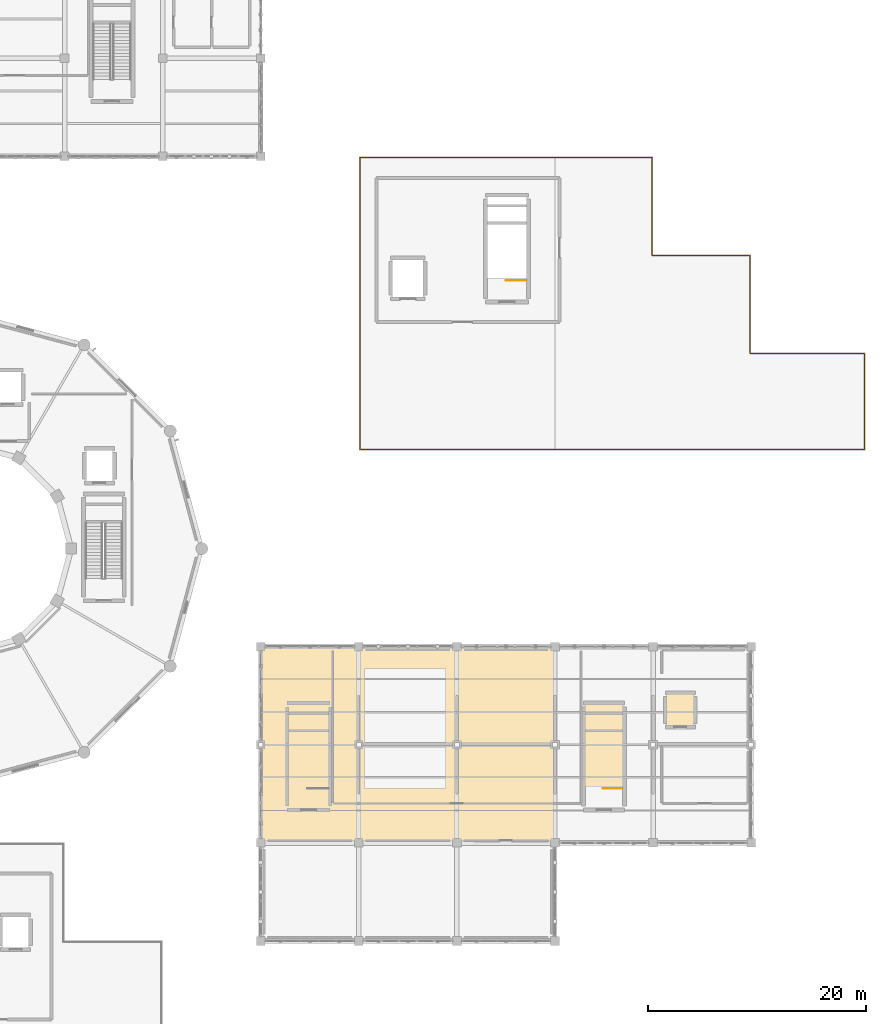
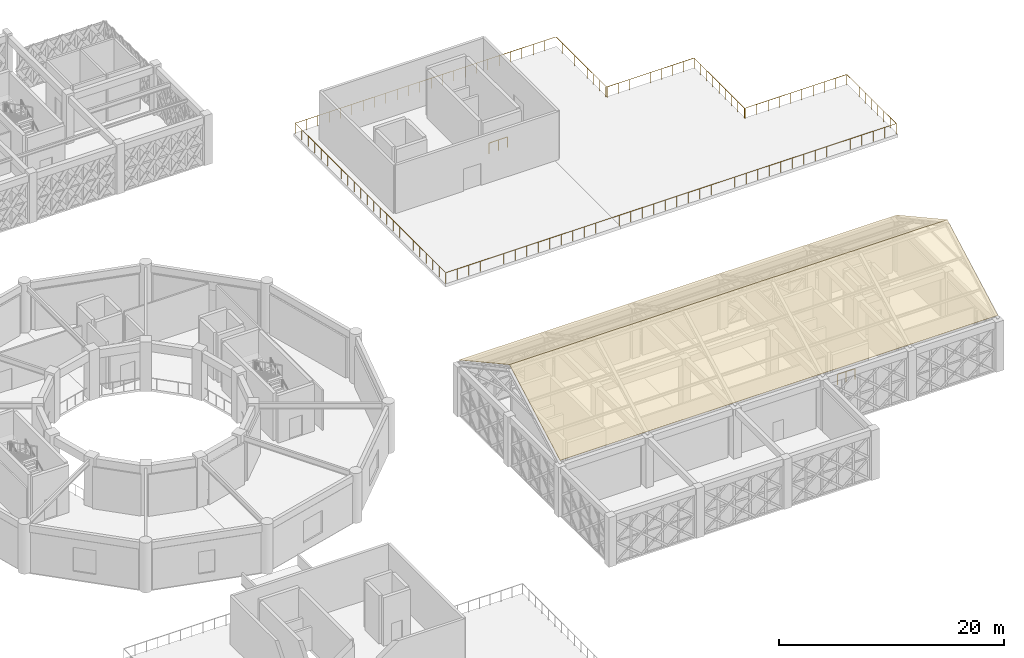
# One storey, part 86 of 86: 3 railings, 2 coverings.
"""IFC4 building model written with IfcOpenShell, lengths in metres."""

from ifc_helpers import new_model, si_unit, direction, frame, origin, origin_2d, place, context, subcontext, project, spatial, polyline, circle, outline, extrude, material, type_object, element, save


model = new_model("IFC4")

# Units and contexts
model_context = context("Model", 3, precision=1e-05, world=origin(), true_north=direction((0.0, 1.0)))
body_context = subcontext(model_context, "Body", "Model", "MODEL_VIEW")
ifc_project = project(units=[si_unit("LENGTHUNIT", "METRE"), si_unit("AREAUNIT", "SQUARE_METRE"), si_unit("VOLUMEUNIT", "CUBIC_METRE"), si_unit("PLANEANGLEUNIT", "RADIAN"), si_unit("MASSUNIT", "GRAM", prefix="KILO")], contexts=[model_context])

# Site, building, storey
site_placement = place(None, origin())
site = spatial("IfcSite", under=ifc_project, at=site_placement, CompositionType="ELEMENT")
building_placement = place(site_placement, origin())
building = spatial("IfcBuilding", under=site, at=building_placement, Name="Haizhuo Lancet Aquarium", CompositionType="ELEMENT")
storey_placement = place(building_placement, frame((0.0, 0.0, 16.199951171875)))
storey = spatial("IfcBuildingStorey", under=building, at=storey_placement, Name="L03", CompositionType="ELEMENT", Elevation=16.199951171875)

# Railings
ifc_material_1 = material(Name="Steel S355", Category="steel")
railing_type_1 = type_object("IfcRailingType", Name="RL-BAL-1150", PredefinedType="BALUSTRADE", material=ifc_material_1)
railing_1_placement = place(storey_placement, frame((36.10009765625, 9.10009765625, 0.0)))
element("IfcRailing", 1, at=railing_1_placement, inside=storey, type_object=railing_type_1, Name="L03 V7 planted roof garden perimeter balustrade", PredefinedType="BALUSTRADE", context=body_context, shape_type="SweptSolid", body=[
    extrude(circle(Radius=0.02392578125, at=origin_2d()), frame((0.0, 0.030029296875, 1.1259765625), z_axis=(0.0, 1.0, 0.0), x_axis=(-1.0, 0.0, 0.0)), (0.0, 0.0, 1.0), 26.73974609375),
    extrude(circle(Radius=0.02392578125, at=origin_2d()), frame((0.030029296875, 26.7998046875, 1.1259765625), z_axis=(1.0, 0.0, 0.0), x_axis=(0.0, 1.0, 0.0)), (0.0, 0.0, 1.0), 26.73974609375),
    extrude(circle(Radius=0.02392578125, at=origin_2d()), frame((26.7998046875, 26.769775390625, 1.1259765625), z_axis=(0.0, -1.0, 0.0), x_axis=(1.0, 0.0, 0.0)), (0.0, 0.0, 1.0), 8.83984375),
    extrude(circle(Radius=0.02392578125, at=origin_2d()), frame((26.7998046875, 17.8984375, 1.1259765625), z_axis=(0.0, -1.0, 0.0), x_axis=(1.0, 0.0, 0.0)), (0.0, 0.0, 1.0), 0.010009765625),
    extrude(circle(Radius=0.02392578125, at=origin_2d()), frame((26.800048828125, 17.888427734375, 1.1259765625), z_axis=(0.214407294843, -0.976744343172, 0.0), x_axis=(0.976744343172, 0.214407294843, 0.0)), (0.0, 0.0, 1.0), 0.010009765625),
    extrude(circle(Radius=0.02392578125, at=origin_2d()), frame((26.80224609375, 17.87841796875, 1.1259765625), z_axis=(0.211332792528, -0.97741416544, 0.0), x_axis=(0.97741416544, 0.211332792528, 0.0)), (0.0, 0.0, 1.0), 0.010009765625),
    extrude(circle(Radius=0.02392578125, at=origin_2d()), frame((26.804443359375, 17.869384765625, 1.1259765625), z_axis=(0.396911150685, -0.91785703596, 0.0), x_axis=(0.91785703596, 0.396911150685, 0.0)), (0.0, 0.0, 1.0), 0.010009765625),
    extrude(circle(Radius=0.02392578125, at=origin_2d()), frame((26.80859375, 17.8603515625, 1.1259765625), z_axis=(0.417500171551, -0.908676843963, 0.0), x_axis=(0.908676843963, 0.417500171551, 0.0)), (0.0, 0.0, 1.0), 0.010009765625),
    extrude(circle(Radius=0.02392578125, at=origin_2d()), frame((26.812744140625, 17.8515625, 1.1259765625), z_axis=(0.485642931179, -0.874157276122, 0.0), x_axis=(0.874157276122, 0.485642931179, 0.0)), (0.0, 0.0, 1.0), 0.010009765625),
    extrude(circle(Radius=0.02392578125, at=origin_2d()), frame((26.81787109375, 17.843017578125, 1.1259765625), z_axis=(0.652939622069, -0.757409961601, 0.0), x_axis=(0.757409961601, 0.652939622069, 0.0)), (0.0, 0.0, 1.0), 0.010009765625),
    extrude(circle(Radius=0.02392578125, at=origin_2d()), frame((26.823974609375, 17.835693359375, 1.1259765625), z_axis=(0.588171697675, -0.808736084303, 0.0), x_axis=(0.808736084303, 0.588171697675, 0.0)), (0.0, 0.0, 1.0), 0.010009765625),
    extrude(circle(Radius=0.02392578125, at=origin_2d()), frame((26.830078125, 17.827880859375, 1.1259765625), z_axis=(0.808736084303, -0.588171697675, 0.0), x_axis=(0.588171697675, 0.808736084303, 0.0)), (0.0, 0.0, 1.0), 0.010009765625),
    extrude(circle(Radius=0.02392578125, at=origin_2d()), frame((26.837890625, 17.822021484375, 1.1259765625), z_axis=(0.757409961601, -0.652939622069, 0.0), x_axis=(0.652939622069, 0.757409961601, 0.0)), (0.0, 0.0, 1.0), 0.010009765625),
    extrude(circle(Radius=0.02392578125, at=origin_2d()), frame((26.84521484375, 17.816162109375, 1.1259765625), z_axis=(0.874157276122, -0.485642931179, 0.0), x_axis=(0.485642931179, 0.874157276122, 0.0)), (0.0, 0.0, 1.0), 0.010009765625),
    extrude(circle(Radius=0.02392578125, at=origin_2d()), frame((26.854248046875, 17.811279296875, 1.1259765625), z_axis=(0.908676843963, -0.417500171551, 0.0), x_axis=(0.417500171551, 0.908676843963, 0.0)), (0.0, 0.0, 1.0), 0.010009765625),
    extrude(circle(Radius=0.02392578125, at=origin_2d()), frame((26.86328125, 17.807373046875, 1.1259765625), z_axis=(0.91785703596, -0.396911150685, 0.0), x_axis=(0.396911150685, 0.91785703596, 0.0)), (0.0, 0.0, 1.0), 0.010009765625),
    extrude(circle(Radius=0.02392578125, at=origin_2d()), frame((26.872314453125, 17.8037109375, 1.1259765625), z_axis=(0.97741416544, -0.211332792528, 0.0), x_axis=(0.211332792528, 0.97741416544, 0.0)), (0.0, 0.0, 1.0), 0.010009765625),
    extrude(circle(Radius=0.02392578125, at=origin_2d()), frame((26.88134765625, 17.8017578125, 1.1259765625), z_axis=(0.976744343172, -0.214407294843, 0.0), x_axis=(0.214407294843, 0.976744343172, 0.0)), (0.0, 0.0, 1.0), 0.010009765625),
    extrude(circle(Radius=0.02392578125, at=origin_2d()), frame((26.891357421875, 17.7998046875, 1.1259765625), z_axis=(1.0, 0.0, 0.0), x_axis=(0.0, 1.0, 0.0)), (0.0, 0.0, 1.0), 0.010009765625),
    extrude(circle(Radius=0.02392578125, at=origin_2d()), frame((26.929931640625, 17.7998046875, 1.1259765625), z_axis=(1.0, 0.0, 0.0), x_axis=(0.0, 1.0, 0.0)), (0.0, 0.0, 1.0), 8.83984375),
    extrude(circle(Radius=0.02392578125, at=origin_2d()), frame((35.7998046875, 17.769775390625, 1.1259765625), z_axis=(0.0, -1.0, 0.0), x_axis=(1.0, 0.0, 0.0)), (0.0, 0.0, 1.0), 8.83984375),
    extrude(circle(Radius=0.02392578125, at=origin_2d()), frame((35.7998046875, 8.8984375, 1.1259765625), z_axis=(0.0, -1.0, 0.0), x_axis=(1.0, 0.0, 0.0)), (0.0, 0.0, 1.0), 0.010009765625),
    extrude(circle(Radius=0.02392578125, at=origin_2d()), frame((35.800048828125, 8.888427734375, 1.1259765625), z_axis=(0.214407294843, -0.976744343172, 0.0), x_axis=(0.976744343172, 0.214407294843, 0.0)), (0.0, 0.0, 1.0), 0.010009765625),
    extrude(circle(Radius=0.02392578125, at=origin_2d()), frame((35.80224609375, 8.87841796875, 1.1259765625), z_axis=(0.211332792528, -0.97741416544, 0.0), x_axis=(0.97741416544, 0.211332792528, 0.0)), (0.0, 0.0, 1.0), 0.010009765625),
    extrude(circle(Radius=0.02392578125, at=origin_2d()), frame((35.804443359375, 8.869384765625, 1.1259765625), z_axis=(0.396911150685, -0.91785703596, 0.0), x_axis=(0.91785703596, 0.396911150685, 0.0)), (0.0, 0.0, 1.0), 0.010009765625),
    extrude(circle(Radius=0.02392578125, at=origin_2d()), frame((35.80859375, 8.8603515625, 1.1259765625), z_axis=(0.417500171551, -0.908676843963, 0.0), x_axis=(0.908676843963, 0.417500171551, 0.0)), (0.0, 0.0, 1.0), 0.010009765625),
    extrude(circle(Radius=0.02392578125, at=origin_2d()), frame((35.812744140625, 8.8515625, 1.1259765625), z_axis=(0.485642931179, -0.874157276122, 0.0), x_axis=(0.874157276122, 0.485642931179, 0.0)), (0.0, 0.0, 1.0), 0.010009765625),
    extrude(circle(Radius=0.02392578125, at=origin_2d()), frame((35.81787109375, 8.843017578125, 1.1259765625), z_axis=(0.652939622069, -0.757409961601, 0.0), x_axis=(0.757409961601, 0.652939622069, 0.0)), (0.0, 0.0, 1.0), 0.010009765625),
    extrude(circle(Radius=0.02392578125, at=origin_2d()), frame((35.823974609375, 8.835693359375, 1.1259765625), z_axis=(0.588171697675, -0.808736084303, 0.0), x_axis=(0.808736084303, 0.588171697675, 0.0)), (0.0, 0.0, 1.0), 0.010009765625),
    extrude(circle(Radius=0.02392578125, at=origin_2d()), frame((35.830078125, 8.827880859375, 1.1259765625), z_axis=(0.808736084303, -0.588171697675, 0.0), x_axis=(0.588171697675, 0.808736084303, 0.0)), (0.0, 0.0, 1.0), 0.010009765625),
    extrude(circle(Radius=0.02392578125, at=origin_2d()), frame((35.837890625, 8.822021484375, 1.1259765625), z_axis=(0.757409961601, -0.652939622069, 0.0), x_axis=(0.652939622069, 0.757409961601, 0.0)), (0.0, 0.0, 1.0), 0.010009765625),
    extrude(circle(Radius=0.02392578125, at=origin_2d()), frame((35.84521484375, 8.816162109375, 1.1259765625), z_axis=(0.874157276122, -0.485642931179, 0.0), x_axis=(0.485642931179, 0.874157276122, 0.0)), (0.0, 0.0, 1.0), 0.010009765625),
    extrude(circle(Radius=0.02392578125, at=origin_2d()), frame((35.854248046875, 8.811279296875, 1.1259765625), z_axis=(0.908676843963, -0.417500171551, 0.0), x_axis=(0.417500171551, 0.908676843963, 0.0)), (0.0, 0.0, 1.0), 0.010009765625),
    extrude(circle(Radius=0.02392578125, at=origin_2d()), frame((35.86328125, 8.807373046875, 1.1259765625), z_axis=(0.91785703596, -0.396911150685, 0.0), x_axis=(0.396911150685, 0.91785703596, 0.0)), (0.0, 0.0, 1.0), 0.010009765625),
    extrude(circle(Radius=0.02392578125, at=origin_2d()), frame((35.872314453125, 8.8037109375, 1.1259765625), z_axis=(0.97741416544, -0.211332792528, 0.0), x_axis=(0.211332792528, 0.97741416544, 0.0)), (0.0, 0.0, 1.0), 0.010009765625),
    extrude(circle(Radius=0.02392578125, at=origin_2d()), frame((35.88134765625, 8.8017578125, 1.1259765625), z_axis=(0.976744343172, -0.214407294843, 0.0), x_axis=(0.214407294843, 0.976744343172, 0.0)), (0.0, 0.0, 1.0), 0.010009765625),
    extrude(circle(Radius=0.02392578125, at=origin_2d()), frame((35.891357421875, 8.7998046875, 1.1259765625), z_axis=(1.0, 0.0, 0.0), x_axis=(0.0, 1.0, 0.0)), (0.0, 0.0, 1.0), 0.010009765625),
    extrude(circle(Radius=0.02392578125, at=origin_2d()), frame((35.929931640625, 8.7998046875, 1.1259765625), z_axis=(1.0, 0.0, 0.0), x_axis=(0.0, 1.0, 0.0)), (0.0, 0.0, 1.0), 10.33984375),
    extrude(circle(Radius=0.02392578125, at=origin_2d()), frame((46.2998046875, 8.769775390625, 1.1259765625), z_axis=(0.0, -1.0, 0.0), x_axis=(1.0, 0.0, 0.0)), (0.0, 0.0, 1.0), 8.73974609375),
    extrude(circle(Radius=0.02392578125, at=origin_2d()), frame((46.269775390625, 0.0, 1.1259765625), z_axis=(-1.0, 0.0, 0.0), x_axis=(0.0, -1.0, 0.0)), (0.0, 0.0, 1.0), 46.23974609375),
    extrude(circle(Radius=0.02099609375, at=origin_2d()), origin(), (0.0, 0.0, 1.0), 1.097900390625),
    extrude(circle(Radius=0.02099609375, at=origin_2d()), frame((0.0, 1.165283203125, 0.0)), (0.0, 0.0, 1.0), 1.097900390625),
    extrude(circle(Radius=0.02099609375, at=origin_2d()), frame((0.0, 2.330322265625, 0.0)), (0.0, 0.0, 1.0), 1.097900390625),
    extrude(circle(Radius=0.02099609375, at=origin_2d()), frame((0.0, 3.49560546875, 0.0)), (0.0, 0.0, 1.0), 1.097900390625),
    extrude(circle(Radius=0.02099609375, at=origin_2d()), frame((0.0, 4.660888671875, 0.0)), (0.0, 0.0, 1.0), 1.097900390625),
    extrude(circle(Radius=0.02099609375, at=origin_2d()), frame((0.0, 5.825927734375, 0.0)), (0.0, 0.0, 1.0), 1.097900390625),
    extrude(circle(Radius=0.02099609375, at=origin_2d()), frame((0.0, 6.9912109375, 0.0)), (0.0, 0.0, 1.0), 1.097900390625),
    extrude(circle(Radius=0.02099609375, at=origin_2d()), frame((0.0, 8.156494140625, 0.0)), (0.0, 0.0, 1.0), 1.097900390625),
    extrude(circle(Radius=0.02099609375, at=origin_2d()), frame((0.0, 9.32177734375, 0.0)), (0.0, 0.0, 1.0), 1.097900390625),
    extrude(circle(Radius=0.02099609375, at=origin_2d()), frame((0.0, 10.48681640625, 0.0)), (0.0, 0.0, 1.0), 1.097900390625),
    extrude(circle(Radius=0.02099609375, at=origin_2d()), frame((0.0, 11.652099609375, 0.0)), (0.0, 0.0, 1.0), 1.097900390625),
    extrude(circle(Radius=0.02099609375, at=origin_2d()), frame((0.0, 12.8173828125, 0.0)), (0.0, 0.0, 1.0), 1.097900390625),
    extrude(circle(Radius=0.02099609375, at=origin_2d()), frame((0.0, 13.982421875, 0.0)), (0.0, 0.0, 1.0), 1.097900390625),
    extrude(circle(Radius=0.02099609375, at=origin_2d()), frame((0.0, 15.147705078125, 0.0)), (0.0, 0.0, 1.0), 1.097900390625),
    extrude(circle(Radius=0.02099609375, at=origin_2d()), frame((0.0, 16.31298828125, 0.0)), (0.0, 0.0, 1.0), 1.097900390625),
    extrude(circle(Radius=0.02099609375, at=origin_2d()), frame((0.0, 17.47802734375, 0.0)), (0.0, 0.0, 1.0), 1.097900390625),
    extrude(circle(Radius=0.02099609375, at=origin_2d()), frame((0.0, 18.643310546875, 0.0)), (0.0, 0.0, 1.0), 1.097900390625),
    extrude(circle(Radius=0.02099609375, at=origin_2d()), frame((0.0, 19.80859375, 0.0)), (0.0, 0.0, 1.0), 1.097900390625),
    extrude(circle(Radius=0.02099609375, at=origin_2d()), frame((0.0, 20.973876953125, 0.0)), (0.0, 0.0, 1.0), 1.097900390625),
    extrude(circle(Radius=0.02099609375, at=origin_2d()), frame((0.0, 22.138916015625, 0.0)), (0.0, 0.0, 1.0), 1.097900390625),
    extrude(circle(Radius=0.02099609375, at=origin_2d()), frame((0.0, 23.30419921875, 0.0)), (0.0, 0.0, 1.0), 1.097900390625),
    extrude(circle(Radius=0.02099609375, at=origin_2d()), frame((0.0, 24.469482421875, 0.0)), (0.0, 0.0, 1.0), 1.097900390625),
    extrude(circle(Radius=0.02099609375, at=origin_2d()), frame((0.0, 25.634521484375, 0.0)), (0.0, 0.0, 1.0), 1.097900390625),
    extrude(circle(Radius=0.02099609375, at=origin_2d()), frame((0.0, 26.7998046875, 0.0)), (0.0, 0.0, 1.0), 1.097900390625),
    extrude(circle(Radius=0.02099609375, at=origin_2d()), frame((1.165283203125, 26.7998046875, 0.0)), (0.0, 0.0, 1.0), 1.097900390625),
    extrude(circle(Radius=0.02099609375, at=origin_2d()), frame((2.330322265625, 26.7998046875, 0.0)), (0.0, 0.0, 1.0), 1.097900390625),
    extrude(circle(Radius=0.02099609375, at=origin_2d()), frame((3.49560546875, 26.7998046875, 0.0)), (0.0, 0.0, 1.0), 1.097900390625),
    extrude(circle(Radius=0.02099609375, at=origin_2d()), frame((4.660888671875, 26.7998046875, 0.0)), (0.0, 0.0, 1.0), 1.097900390625),
    extrude(circle(Radius=0.02099609375, at=origin_2d()), frame((5.825927734375, 26.7998046875, 0.0)), (0.0, 0.0, 1.0), 1.097900390625),
    extrude(circle(Radius=0.02099609375, at=origin_2d()), frame((6.9912109375, 26.7998046875, 0.0)), (0.0, 0.0, 1.0), 1.097900390625),
    extrude(circle(Radius=0.02099609375, at=origin_2d()), frame((8.156494140625, 26.7998046875, 0.0)), (0.0, 0.0, 1.0), 1.097900390625),
    extrude(circle(Radius=0.02099609375, at=origin_2d()), frame((9.32177734375, 26.7998046875, 0.0)), (0.0, 0.0, 1.0), 1.097900390625),
    extrude(circle(Radius=0.02099609375, at=origin_2d()), frame((10.48681640625, 26.7998046875, 0.0)), (0.0, 0.0, 1.0), 1.097900390625),
    extrude(circle(Radius=0.02099609375, at=origin_2d()), frame((11.652099609375, 26.7998046875, 0.0)), (0.0, 0.0, 1.0), 1.097900390625),
    extrude(circle(Radius=0.02099609375, at=origin_2d()), frame((12.8173828125, 26.7998046875, 0.0)), (0.0, 0.0, 1.0), 1.097900390625),
    extrude(circle(Radius=0.02099609375, at=origin_2d()), frame((13.982421875, 26.7998046875, 0.0)), (0.0, 0.0, 1.0), 1.097900390625),
    extrude(circle(Radius=0.02099609375, at=origin_2d()), frame((15.147705078125, 26.7998046875, 0.0)), (0.0, 0.0, 1.0), 1.097900390625),
    extrude(circle(Radius=0.02099609375, at=origin_2d()), frame((16.31298828125, 26.7998046875, 0.0)), (0.0, 0.0, 1.0), 1.097900390625),
    extrude(circle(Radius=0.02099609375, at=origin_2d()), frame((17.47802734375, 26.7998046875, 0.0)), (0.0, 0.0, 1.0), 1.097900390625),
    extrude(circle(Radius=0.02099609375, at=origin_2d()), frame((18.643310546875, 26.7998046875, 0.0)), (0.0, 0.0, 1.0), 1.097900390625),
    extrude(circle(Radius=0.02099609375, at=origin_2d()), frame((19.80859375, 26.7998046875, 0.0)), (0.0, 0.0, 1.0), 1.097900390625),
    extrude(circle(Radius=0.02099609375, at=origin_2d()), frame((20.973876953125, 26.7998046875, 0.0)), (0.0, 0.0, 1.0), 1.097900390625),
    extrude(circle(Radius=0.02099609375, at=origin_2d()), frame((22.138916015625, 26.7998046875, 0.0)), (0.0, 0.0, 1.0), 1.097900390625),
    extrude(circle(Radius=0.02099609375, at=origin_2d()), frame((23.30419921875, 26.7998046875, 0.0)), (0.0, 0.0, 1.0), 1.097900390625),
    extrude(circle(Radius=0.02099609375, at=origin_2d()), frame((24.469482421875, 26.7998046875, 0.0)), (0.0, 0.0, 1.0), 1.097900390625),
    extrude(circle(Radius=0.02099609375, at=origin_2d()), frame((25.634521484375, 26.7998046875, 0.0)), (0.0, 0.0, 1.0), 1.097900390625),
    extrude(circle(Radius=0.02099609375, at=origin_2d()), frame((26.7998046875, 26.7998046875, 0.0)), (0.0, 0.0, 1.0), 1.097900390625),
    extrude(circle(Radius=0.02099609375, at=origin_2d()), frame((26.7998046875, 25.687255859375, 0.0)), (0.0, 0.0, 1.0), 1.097900390625),
    extrude(circle(Radius=0.02099609375, at=origin_2d()), frame((26.7998046875, 24.57470703125, 0.0)), (0.0, 0.0, 1.0), 1.097900390625),
    extrude(circle(Radius=0.02099609375, at=origin_2d()), frame((26.7998046875, 23.46240234375, 0.0)), (0.0, 0.0, 1.0), 1.097900390625),
    extrude(circle(Radius=0.02099609375, at=origin_2d()), frame((26.7998046875, 22.349853515625, 0.0)), (0.0, 0.0, 1.0), 1.097900390625),
    extrude(circle(Radius=0.02099609375, at=origin_2d()), frame((26.7998046875, 21.2373046875, 0.0)), (0.0, 0.0, 1.0), 1.097900390625),
    extrude(circle(Radius=0.02099609375, at=origin_2d()), frame((26.7998046875, 20.125, 0.0)), (0.0, 0.0, 1.0), 1.097900390625),
    extrude(circle(Radius=0.02099609375, at=origin_2d()), frame((26.7998046875, 19.012451171875, 0.0)), (0.0, 0.0, 1.0), 1.097900390625),
    extrude(circle(Radius=0.02099609375, at=origin_2d()), frame((26.7998046875, 17.89990234375, 0.0)), (0.0, 0.0, 1.0), 1.097900390625),
    extrude(circle(Radius=0.02099609375, at=origin_2d()), frame((26.822998046875, 17.8369140625, 0.0)), (0.0, 0.0, 1.0), 1.097900390625),
    extrude(circle(Radius=0.02099609375, at=origin_2d()), frame((26.8798828125, 17.802001953125, 0.0)), (0.0, 0.0, 1.0), 1.097900390625),
    extrude(circle(Radius=0.02099609375, at=origin_2d()), frame((28.012451171875, 17.7998046875, 0.0)), (0.0, 0.0, 1.0), 1.097900390625),
    extrude(circle(Radius=0.02099609375, at=origin_2d()), frame((29.125, 17.7998046875, 0.0)), (0.0, 0.0, 1.0), 1.097900390625),
    extrude(circle(Radius=0.02099609375, at=origin_2d()), frame((30.2373046875, 17.7998046875, 0.0)), (0.0, 0.0, 1.0), 1.097900390625),
    extrude(circle(Radius=0.02099609375, at=origin_2d()), frame((31.349853515625, 17.7998046875, 0.0)), (0.0, 0.0, 1.0), 1.097900390625),
    extrude(circle(Radius=0.02099609375, at=origin_2d()), frame((32.46240234375, 17.7998046875, 0.0)), (0.0, 0.0, 1.0), 1.097900390625),
    extrude(circle(Radius=0.02099609375, at=origin_2d()), frame((33.57470703125, 17.7998046875, 0.0)), (0.0, 0.0, 1.0), 1.097900390625),
    extrude(circle(Radius=0.02099609375, at=origin_2d()), frame((34.687255859375, 17.7998046875, 0.0)), (0.0, 0.0, 1.0), 1.097900390625),
    extrude(circle(Radius=0.02099609375, at=origin_2d()), frame((35.7998046875, 17.7998046875, 0.0)), (0.0, 0.0, 1.0), 1.097900390625),
    extrude(circle(Radius=0.02099609375, at=origin_2d()), frame((35.7998046875, 16.687255859375, 0.0)), (0.0, 0.0, 1.0), 1.097900390625),
    extrude(circle(Radius=0.02099609375, at=origin_2d()), frame((35.7998046875, 15.57470703125, 0.0)), (0.0, 0.0, 1.0), 1.097900390625),
    extrude(circle(Radius=0.02099609375, at=origin_2d()), frame((35.7998046875, 14.46240234375, 0.0)), (0.0, 0.0, 1.0), 1.097900390625),
    extrude(circle(Radius=0.02099609375, at=origin_2d()), frame((35.7998046875, 13.349853515625, 0.0)), (0.0, 0.0, 1.0), 1.097900390625),
    extrude(circle(Radius=0.02099609375, at=origin_2d()), frame((35.7998046875, 12.2373046875, 0.0)), (0.0, 0.0, 1.0), 1.097900390625),
    extrude(circle(Radius=0.02099609375, at=origin_2d()), frame((35.7998046875, 11.125, 0.0)), (0.0, 0.0, 1.0), 1.097900390625),
    extrude(circle(Radius=0.02099609375, at=origin_2d()), frame((35.7998046875, 10.012451171875, 0.0)), (0.0, 0.0, 1.0), 1.097900390625),
    extrude(circle(Radius=0.02099609375, at=origin_2d()), frame((35.7998046875, 8.89990234375, 0.0)), (0.0, 0.0, 1.0), 1.097900390625),
    extrude(circle(Radius=0.02099609375, at=origin_2d()), frame((35.822998046875, 8.8369140625, 0.0)), (0.0, 0.0, 1.0), 1.097900390625),
    extrude(circle(Radius=0.02099609375, at=origin_2d()), frame((35.8798828125, 8.802001953125, 0.0)), (0.0, 0.0, 1.0), 1.097900390625),
    extrude(circle(Radius=0.02099609375, at=origin_2d()), frame((37.055419921875, 8.7998046875, 0.0)), (0.0, 0.0, 1.0), 1.097900390625),
    extrude(circle(Radius=0.02099609375, at=origin_2d()), frame((38.2109375, 8.7998046875, 0.0)), (0.0, 0.0, 1.0), 1.097900390625),
    extrude(circle(Radius=0.02099609375, at=origin_2d()), frame((39.366455078125, 8.7998046875, 0.0)), (0.0, 0.0, 1.0), 1.097900390625),
    extrude(circle(Radius=0.02099609375, at=origin_2d()), frame((40.52197265625, 8.7998046875, 0.0)), (0.0, 0.0, 1.0), 1.097900390625),
    extrude(circle(Radius=0.02099609375, at=origin_2d()), frame((41.677734375, 8.7998046875, 0.0)), (0.0, 0.0, 1.0), 1.097900390625),
    extrude(circle(Radius=0.02099609375, at=origin_2d()), frame((42.833251953125, 8.7998046875, 0.0)), (0.0, 0.0, 1.0), 1.097900390625),
    extrude(circle(Radius=0.02099609375, at=origin_2d()), frame((43.98876953125, 8.7998046875, 0.0)), (0.0, 0.0, 1.0), 1.097900390625),
    extrude(circle(Radius=0.02099609375, at=origin_2d()), frame((45.144287109375, 8.7998046875, 0.0)), (0.0, 0.0, 1.0), 1.097900390625),
    extrude(circle(Radius=0.02099609375, at=origin_2d()), frame((46.2998046875, 8.7998046875, 0.0)), (0.0, 0.0, 1.0), 1.097900390625),
    extrude(circle(Radius=0.02099609375, at=origin_2d()), frame((46.2998046875, 7.69970703125, 0.0)), (0.0, 0.0, 1.0), 1.097900390625),
    extrude(circle(Radius=0.02099609375, at=origin_2d()), frame((46.2998046875, 6.599853515625, 0.0)), (0.0, 0.0, 1.0), 1.097900390625),
    extrude(circle(Radius=0.02099609375, at=origin_2d()), frame((46.2998046875, 5.5, 0.0)), (0.0, 0.0, 1.0), 1.097900390625),
    extrude(circle(Radius=0.02099609375, at=origin_2d()), frame((46.2998046875, 4.39990234375, 0.0)), (0.0, 0.0, 1.0), 1.097900390625),
    extrude(circle(Radius=0.02099609375, at=origin_2d()), frame((46.2998046875, 3.2998046875, 0.0)), (0.0, 0.0, 1.0), 1.097900390625),
    extrude(circle(Radius=0.02099609375, at=origin_2d()), frame((46.2998046875, 2.199951171875, 0.0)), (0.0, 0.0, 1.0), 1.097900390625),
    extrude(circle(Radius=0.02099609375, at=origin_2d()), frame((46.2998046875, 1.10009765625, 0.0)), (0.0, 0.0, 1.0), 1.097900390625),
    extrude(circle(Radius=0.02099609375, at=origin_2d()), frame((46.2998046875, 0.0, 0.0)), (0.0, 0.0, 1.0), 1.097900390625),
    extrude(circle(Radius=0.02099609375, at=origin_2d()), frame((45.112548828125, 0.0, 0.0)), (0.0, 0.0, 1.0), 1.097900390625),
    extrude(circle(Radius=0.02099609375, at=origin_2d()), frame((43.925537109375, 0.0, 0.0)), (0.0, 0.0, 1.0), 1.097900390625),
    extrude(circle(Radius=0.02099609375, at=origin_2d()), frame((42.73828125, 0.0, 0.0)), (0.0, 0.0, 1.0), 1.097900390625),
    extrude(circle(Radius=0.02099609375, at=origin_2d()), frame((41.551025390625, 0.0, 0.0)), (0.0, 0.0, 1.0), 1.097900390625),
    extrude(circle(Radius=0.02099609375, at=origin_2d()), frame((40.364013671875, 0.0, 0.0)), (0.0, 0.0, 1.0), 1.097900390625),
    extrude(circle(Radius=0.02099609375, at=origin_2d()), frame((39.1767578125, 0.0, 0.0)), (0.0, 0.0, 1.0), 1.097900390625),
    extrude(circle(Radius=0.02099609375, at=origin_2d()), frame((37.989501953125, 0.0, 0.0)), (0.0, 0.0, 1.0), 1.097900390625),
    extrude(circle(Radius=0.02099609375, at=origin_2d()), frame((36.802490234375, 0.0, 0.0)), (0.0, 0.0, 1.0), 1.097900390625),
    extrude(circle(Radius=0.02099609375, at=origin_2d()), frame((35.615234375, 0.0, 0.0)), (0.0, 0.0, 1.0), 1.097900390625),
    extrude(circle(Radius=0.02099609375, at=origin_2d()), frame((34.427978515625, 0.0, 0.0)), (0.0, 0.0, 1.0), 1.097900390625),
    extrude(circle(Radius=0.02099609375, at=origin_2d()), frame((33.240966796875, 0.0, 0.0)), (0.0, 0.0, 1.0), 1.097900390625),
    extrude(circle(Radius=0.02099609375, at=origin_2d()), frame((32.0537109375, 0.0, 0.0)), (0.0, 0.0, 1.0), 1.097900390625),
    extrude(circle(Radius=0.02099609375, at=origin_2d()), frame((30.866455078125, 0.0, 0.0)), (0.0, 0.0, 1.0), 1.097900390625),
    extrude(circle(Radius=0.02099609375, at=origin_2d()), frame((29.679443359375, 0.0, 0.0)), (0.0, 0.0, 1.0), 1.097900390625),
    extrude(circle(Radius=0.02099609375, at=origin_2d()), frame((28.4921875, 0.0, 0.0)), (0.0, 0.0, 1.0), 1.097900390625),
    extrude(circle(Radius=0.02099609375, at=origin_2d()), frame((27.304931640625, 0.0, 0.0)), (0.0, 0.0, 1.0), 1.097900390625),
    extrude(circle(Radius=0.02099609375, at=origin_2d()), frame((26.117919921875, 0.0, 0.0)), (0.0, 0.0, 1.0), 1.097900390625),
    extrude(circle(Radius=0.02099609375, at=origin_2d()), frame((24.9306640625, 0.0, 0.0)), (0.0, 0.0, 1.0), 1.097900390625),
    extrude(circle(Radius=0.02099609375, at=origin_2d()), frame((23.743408203125, 0.0, 0.0)), (0.0, 0.0, 1.0), 1.097900390625),
    extrude(circle(Radius=0.02099609375, at=origin_2d()), frame((22.556396484375, 0.0, 0.0)), (0.0, 0.0, 1.0), 1.097900390625),
    extrude(circle(Radius=0.02099609375, at=origin_2d()), frame((21.369140625, 0.0, 0.0)), (0.0, 0.0, 1.0), 1.097900390625),
    extrude(circle(Radius=0.02099609375, at=origin_2d()), frame((20.181884765625, 0.0, 0.0)), (0.0, 0.0, 1.0), 1.097900390625),
    extrude(circle(Radius=0.02099609375, at=origin_2d()), frame((18.994873046875, 0.0, 0.0)), (0.0, 0.0, 1.0), 1.097900390625),
    extrude(circle(Radius=0.02099609375, at=origin_2d()), frame((17.8076171875, 0.0, 0.0)), (0.0, 0.0, 1.0), 1.097900390625),
    extrude(circle(Radius=0.02099609375, at=origin_2d()), frame((16.620361328125, 0.0, 0.0)), (0.0, 0.0, 1.0), 1.097900390625),
    extrude(circle(Radius=0.02099609375, at=origin_2d()), frame((15.433349609375, 0.0, 0.0)), (0.0, 0.0, 1.0), 1.097900390625),
    extrude(circle(Radius=0.02099609375, at=origin_2d()), frame((14.24609375, 0.0, 0.0)), (0.0, 0.0, 1.0), 1.097900390625),
    extrude(circle(Radius=0.02099609375, at=origin_2d()), frame((13.058837890625, 0.0, 0.0)), (0.0, 0.0, 1.0), 1.097900390625),
    extrude(circle(Radius=0.02099609375, at=origin_2d()), frame((11.871826171875, 0.0, 0.0)), (0.0, 0.0, 1.0), 1.097900390625),
    extrude(circle(Radius=0.02099609375, at=origin_2d()), frame((10.6845703125, 0.0, 0.0)), (0.0, 0.0, 1.0), 1.097900390625),
    extrude(circle(Radius=0.02099609375, at=origin_2d()), frame((9.497314453125, 0.0, 0.0)), (0.0, 0.0, 1.0), 1.097900390625),
    extrude(circle(Radius=0.02099609375, at=origin_2d()), frame((8.310302734375, 0.0, 0.0)), (0.0, 0.0, 1.0), 1.097900390625),
    extrude(circle(Radius=0.02099609375, at=origin_2d()), frame((7.123046875, 0.0, 0.0)), (0.0, 0.0, 1.0), 1.097900390625),
    extrude(circle(Radius=0.02099609375, at=origin_2d()), frame((5.935791015625, 0.0, 0.0)), (0.0, 0.0, 1.0), 1.097900390625),
    extrude(circle(Radius=0.02099609375, at=origin_2d()), frame((4.748779296875, 0.0, 0.0)), (0.0, 0.0, 1.0), 1.097900390625),
    extrude(circle(Radius=0.02099609375, at=origin_2d()), frame((3.5615234375, 0.0, 0.0)), (0.0, 0.0, 1.0), 1.097900390625),
    extrude(circle(Radius=0.02099609375, at=origin_2d()), frame((2.374267578125, 0.0, 0.0)), (0.0, 0.0, 1.0), 1.097900390625),
    extrude(circle(Radius=0.02099609375, at=origin_2d()), frame((1.187255859375, 0.0, 0.0)), (0.0, 0.0, 1.0), 1.097900390625),
])
railing_type_2 = type_object("IfcRailingType", Name="RL-GRD-1150", PredefinedType="GUARDRAIL", material=ifc_material_1)
railing_2_placement = place(storey_placement, frame((60.199951171875, -22.0, 0.0)))
element("IfcRailing", 2, at=railing_2_placement, inside=storey, type_object=railing_type_2, Name="L03 ST-05 top well guard 1", PredefinedType="GUARDRAIL", context=body_context, shape_type="SweptSolid", body=[
    extrude(circle(Radius=0.02392578125, at=origin_2d()), frame((-0.030029296875, 0.0, 1.1259765625), z_axis=(-1.0, 0.0, 0.0), x_axis=(0.0, -1.0, 0.0)), (0.0, 0.0, 1.0), 1.739990234375),
    extrude(circle(Radius=0.02099609375, at=origin_2d()), origin(), (0.0, 0.0, 1.0), 1.097900390625),
    extrude(circle(Radius=0.02099609375, at=origin_2d()), frame((-0.89990234375, 0.0, 0.0)), (0.0, 0.0, 1.0), 1.097900390625),
    extrude(circle(Radius=0.02099609375, at=origin_2d()), frame((-1.800048828125, 0.0, 0.0)), (0.0, 0.0, 1.0), 1.097900390625),
])
railing_3_placement = place(storey_placement, frame((51.39990234375, 24.60009765625, 0.0)))
element("IfcRailing", 3, at=railing_3_placement, inside=storey, type_object=railing_type_2, Name="L03 ST-10 top well guard 1", PredefinedType="GUARDRAIL", context=body_context, shape_type="SweptSolid", body=[
    extrude(circle(Radius=0.02392578125, at=origin_2d()), frame((-0.030029296875, 0.0, 1.1259765625), z_axis=(-1.0, 0.0, 0.0), x_axis=(0.0, -1.0, 0.0)), (0.0, 0.0, 1.0), 1.83984375),
    extrude(circle(Radius=0.02099609375, at=origin_2d()), origin(), (0.0, 0.0, 1.0), 1.097900390625),
    extrude(circle(Radius=0.02099609375, at=origin_2d()), frame((-0.949951171875, 0.0, 0.0)), (0.0, 0.0, 1.0), 1.097900390625),
    extrude(circle(Radius=0.02099609375, at=origin_2d()), frame((-1.89990234375, 0.0, 0.0)), (0.0, 0.0, 1.0), 1.097900390625),
])

# Coverings
ifc_material_2 = material(Name="Standing-Seam Titanium Zinc", Category="steel")
covering_type = type_object("IfcCoveringType", Name="COV-RF-ZINC", PredefinedType="ROOFING", material=ifc_material_2)
for number, where, z_axis, x_axis, name in (
    (4, (27.0, -27.0, 5.81494140625), (0.0, -0.482006336109, 0.876167730489), (1.0, 0.0, 0.0), "V3 standing-seam titanium zinc roofing S"),
    (5, (72.0, -9.0, 5.81494140625), (0.0, 0.482006336109, 0.876167730489), (-1.0, 0.0, 0.0), "V3 standing-seam titanium zinc roofing N"),
):
    element("IfcCovering", number, at=place(storey_placement, frame(where, z_axis=z_axis, x_axis=x_axis)), inside=storey, type_object=covering_type, material=ifc_material_2, Name=name, PredefinedType="ROOFING", context=body_context, shape_type="SweptSolid", body=[
        extrude(outline(polyline([(0.0, 0.0), (45.0, 0.0), (45.0, 10.272005789318415), (0.0, 10.272005789318415), (0.0, 0.0)])), origin(), (0.0, 0.0, -1.0), 0.02490234375),
    ])

save(model, "model.ifc")
